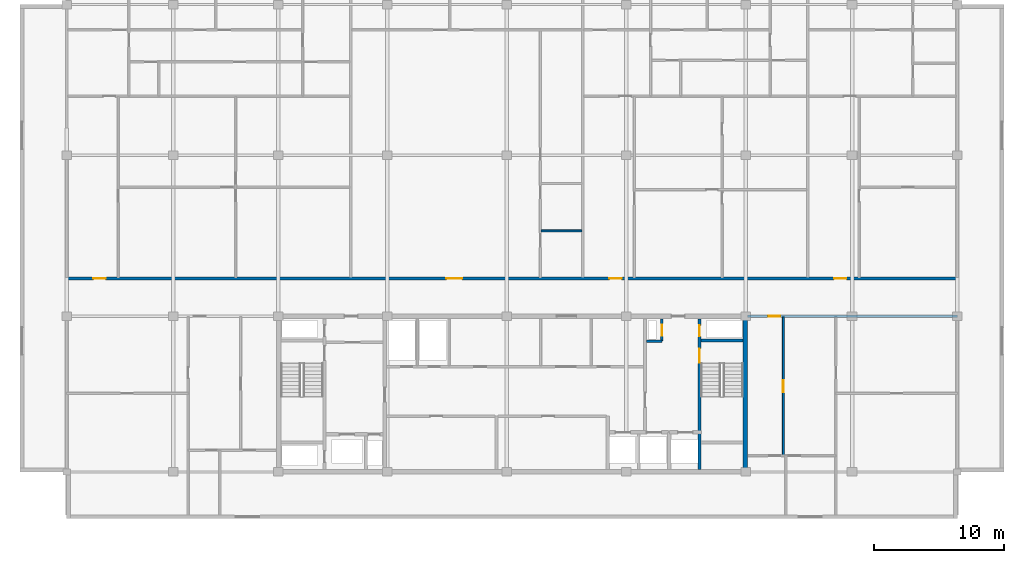
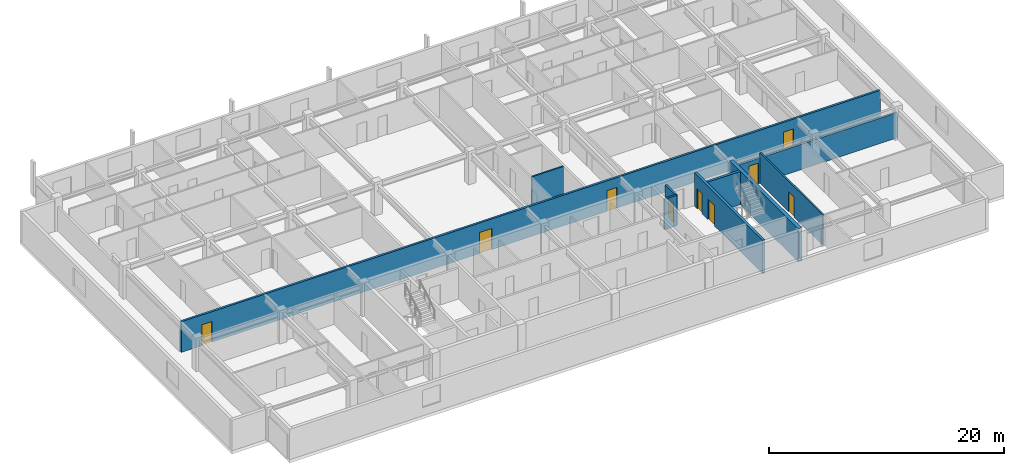
# One storey, part 5 of 10: 9 doors, 9 walls, 9 openings.
"""IFC4 building model written with IfcOpenShell, lengths in metres."""

import ifcopenshell
import ifcopenshell.guid

model = None  # the IFC model being written
_history = None  # IfcOwnerHistory: only IFC2X3 demands one
_inside = {}  # id of a spatial element -> (the spatial element, [elements in it])
_under = {}  # id of a project, library or spatial element -> (it, [spatial elements below it])
_declared = {}  # id of a project -> (the project, [libraries it declares])
_typed = {}  # id of a type object -> (the type object, [elements of that type])
_made_of = {}  # id of a material, layer set ... -> (it, [elements and type objects made of it])


def new_model(schema):
    """Start an empty IFC model of exactly this schema.

    Asked for "IFC4X3", IfcOpenShell would pick the latest addendum, in which some entities
    have other attributes; the version numbers below select the first issue.
    IFC2X3 requires an IfcOwnerHistory on every rooted entity: one is made here for all.
    """
    global model, _history
    if schema == "IFC4X3":
        model = ifcopenshell.file(schema_version=(4, 3, 0, 0))
    else:
        model = ifcopenshell.file(schema=schema)
    _inside.clear()
    _under.clear()
    _declared.clear()
    _typed.clear()
    _made_of.clear()
    _history = None
    if model.schema == "IFC2X3":
        org = make("IfcOrganization", Name="unknown")
        user = make(
            "IfcPersonAndOrganization",
            ThePerson=make("IfcPerson", FamilyName="unknown"),
            TheOrganization=org,
        )
        app = make(
            "IfcApplication",
            ApplicationDeveloper=org,
            Version="unknown",
            ApplicationFullName="unknown",
            ApplicationIdentifier="unknown",
        )
        _history = make(
            "IfcOwnerHistory",
            OwningUser=user,
            OwningApplication=app,
            ChangeAction="ADDED",
            CreationDate=0,
        )
    return model


def make(cls, **values):
    """One entity of the class cls with the attributes given. An attribute that is None is left unset."""
    return model.create_entity(
        cls, **{name: value for name, value in values.items() if value is not None}
    )


def rooted(cls, **values):
    """An entity with a GlobalId (a new one), such as an element, a storey or a relation."""
    return make(cls, GlobalId=ifcopenshell.guid.new(), OwnerHistory=_history, **values)


def si_unit(unit_type, name, prefix=None):
    """IfcSIUnit, for example si_unit("LENGTHUNIT", "METRE", prefix="MILLI")."""
    return make("IfcSIUnit", UnitType=unit_type, Prefix=prefix, Name=name)


def assignment(units):
    """IfcUnitAssignment: the units of a project."""
    return None if units is None else make("IfcUnitAssignment", Units=units)


def point(xyz):
    """IfcCartesianPoint."""
    return None if xyz is None else make("IfcCartesianPoint", Coordinates=xyz)


def direction(xyz):
    """IfcDirection."""
    return None if xyz is None else make("IfcDirection", DirectionRatios=xyz)


def frame(location, z_axis=None, x_axis=None):
    """IfcAxis2Placement3D, a coordinate frame: its origin and axes. An axis left out is left unset."""
    return make(
        "IfcAxis2Placement3D",
        Location=point(location),
        Axis=direction(z_axis),
        RefDirection=direction(x_axis),
    )


def frame_2d(location, x_axis=None):
    """IfcAxis2Placement2D, a coordinate frame in the plane: its origin and x axis."""
    return make(
        "IfcAxis2Placement2D", Location=point(location), RefDirection=direction(x_axis)
    )


def origin():
    """The frame at (0, 0, 0) with its axes left unset."""
    return frame((0.0, 0.0, 0.0))


def place(relative_to, where):
    """IfcLocalPlacement: puts the frame where relative to a parent placement (None: the world)."""
    return make(
        "IfcLocalPlacement", PlacementRelTo=relative_to, RelativePlacement=where
    )


def context(
    kind, dimensions, precision=None, world=None, true_north=None, identifier=None
):
    """IfcGeometricRepresentationContext, for example the 3D "Model" context."""
    return make(
        "IfcGeometricRepresentationContext",
        ContextIdentifier=identifier,
        ContextType=kind,
        CoordinateSpaceDimension=dimensions,
        Precision=precision,
        WorldCoordinateSystem=world,
        TrueNorth=true_north,
    )


def subcontext(parent, identifier, kind, view, scale=None):
    """IfcGeometricRepresentationSubContext, for example "Body" below "Model"."""
    return make(
        "IfcGeometricRepresentationSubContext",
        ContextIdentifier=identifier,
        ContextType=kind,
        ParentContext=parent,
        TargetScale=scale,
        TargetView=view,
    )


def project(units=None, contexts=None):
    """IfcProject with its units and contexts."""
    return rooted(
        "IfcProject",
        Name="project",
        RepresentationContexts=contexts,
        UnitsInContext=assignment(units),
    )


def spatial(cls, under=None, at=None, **own):
    """A site, building, storey or space (cls), placed at a placement, below another one or the project."""
    s = rooted(cls, ObjectPlacement=at, **own)
    if under is not None:
        _under.setdefault(under.id(), (under, []))[1].append(s)
    return s


def profile(cls, at=None, kind="AREA", **sizes):
    """A parametric profile (cls). Its sizes go by their IFC names, for example OverallWidth=200.0."""
    return make(cls, ProfileType=kind, Position=at, **sizes)


def rectangle(**sizes):
    """IfcRectangleProfileDef."""
    return profile("IfcRectangleProfileDef", **sizes)


def extrude(swept, where, along, depth):
    """IfcExtrudedAreaSolid: the profile swept, set in the frame where, extruded along a direction by depth."""
    return make(
        "IfcExtrudedAreaSolid",
        SweptArea=swept,
        Position=where,
        ExtrudedDirection=direction(along),
        Depth=depth,
    )


def shape(context_of_items, identifier, shape_type, items):
    """IfcShapeRepresentation: the items that make up one representation, for example the "Body"."""
    return make(
        "IfcShapeRepresentation",
        ContextOfItems=context_of_items,
        RepresentationIdentifier=identifier,
        RepresentationType=shape_type,
        Items=items,
    )


def material(Name=None, Category=None):
    """IfcMaterial."""
    return make("IfcMaterial", Name=Name, Category=Category)


def layer(
    of_material, thickness, ventilated=None, Name=None, Category=None, Priority=None
):
    """IfcMaterialLayer: one layer of a wall or slab, of a material (None: an air gap)."""
    return make(
        "IfcMaterialLayer",
        Material=of_material,
        LayerThickness=thickness,
        IsVentilated=ventilated,
        Name=Name,
        Category=Category,
        Priority=Priority,
    )


def layer_set(layers, Name=None):
    """IfcMaterialLayerSet."""
    return make("IfcMaterialLayerSet", MaterialLayers=layers, LayerSetName=Name)


def made_of(thing, what):
    """Note that an element or type object is made of a material, layer set ...; save() writes the relation."""
    if what is not None:
        _made_of.setdefault(what.id(), (what, []))[1].append(thing)
    return thing


def type_object(cls, material=None, **own):
    """A type object (cls), such as IfcWallType, which elements share."""
    return made_of(rooted(cls, **own), material)


def element(
    cls,
    number,
    at=None,
    inside=None,
    cuts=None,
    type_object=None,
    material=None,
    context=None,
    identifier="Body",
    shape_type=None,
    held_by="IfcProductDefinitionShape",
    body=None,
    shapes=None,
    **own,
):
    """One element of the class cls, such as IfcWall. Its Tag is "e" and its number.

    at: its placement. inside: the storey or other place that contains it. cuts: it is an
    opening in that element (IfcRelVoidsElement). A single representation is given by context,
    identifier, shape_type and body (its items); several are given by shapes. held_by: the class
    of the entity that holds the representations. save() writes the other relations.
    """
    e = rooted(cls, Tag="e%d" % number, ObjectPlacement=at, **own)
    if body is not None:
        shapes = [shape(context, identifier, shape_type, body)]
    if shapes is not None:
        e.Representation = make(held_by, Representations=shapes)
    if inside is not None:
        _inside.setdefault(inside.id(), (inside, []))[1].append(e)
    if cuts is not None:
        rooted(
            "IfcRelVoidsElement", RelatingBuildingElement=cuts, RelatedOpeningElement=e
        )
    if type_object is not None:
        _typed.setdefault(type_object.id(), (type_object, []))[1].append(e)
    return made_of(e, material)


def fill(opening, filler):
    """IfcRelFillsElement: the door or window that sits in an opening."""
    return rooted(
        "IfcRelFillsElement",
        RelatingOpeningElement=opening,
        RelatedBuildingElement=filler,
    )


def aggregate(whole, parts):
    """IfcRelAggregates: a whole, such as a stair, and the parts it consists of."""
    return rooted("IfcRelAggregates", RelatingObject=whole, RelatedObjects=parts)


def save(model, path):
    """Write the relations noted so far, then the file.

    IfcRelAggregates (storeys below a building ...), IfcRelContainedInSpatialStructure (elements
    in a storey), IfcRelDefinesByType, IfcRelAssociatesMaterial and IfcRelDeclares: one each for
    every whole, place, type object, material and project.
    """
    for whole, parts in _under.values():
        aggregate(whole, parts)
    for where, things in _inside.values():
        rooted(
            "IfcRelContainedInSpatialStructure",
            RelatedElements=things,
            RelatingStructure=where,
        )
    for kind, things in _typed.values():
        rooted("IfcRelDefinesByType", RelatedObjects=things, RelatingType=kind)
    for what, things in _made_of.values():
        rooted("IfcRelAssociatesMaterial", RelatedObjects=things, RelatingMaterial=what)
    for by, libraries in _declared.values():
        rooted("IfcRelDeclares", RelatingContext=by, RelatedDefinitions=libraries)
    model.write(path)


model = new_model("IFC4")

# Units and contexts
model_context = context("Model", 3, precision=1e-05, world=origin(), true_north=direction((0.0, 1.0)))
body_context = subcontext(model_context, "Body", "Model", "MODEL_VIEW")
ifc_project = project(units=[si_unit("LENGTHUNIT", "METRE"), si_unit("AREAUNIT", "SQUARE_METRE"), si_unit("VOLUMEUNIT", "CUBIC_METRE"), si_unit("PLANEANGLEUNIT", "RADIAN"), si_unit("MASSUNIT", "GRAM", prefix="KILO")], contexts=[model_context])

# Site, building, storey
site_placement = place(None, origin())
site = spatial("IfcSite", under=ifc_project, at=site_placement, CompositionType="ELEMENT")
building_placement = place(site_placement, origin())
building = spatial("IfcBuilding", under=site, at=building_placement, Name="Korimba Cascade Residences", CompositionType="ELEMENT")
storey_placement = place(building_placement, frame((0.0, 0.0, 228.64990234375)))
storey = spatial("IfcBuildingStorey", under=building, at=storey_placement, Name="L66", CompositionType="ELEMENT", Elevation=228.64990234375)

# Wall
ifc_material_1 = material(Name="Concrete C65/80", Category="concrete")
ifc_layer_1 = layer(ifc_material_1, 0.35009765625)
ifc_layer_set_1 = layer_set([ifc_layer_1], Name="Concrete C65/80")
wall_type_1 = type_object("IfcWallType", Name="WAL-CORE-350", PredefinedType="SHEAR", material=ifc_layer_set_1)
wall_1_placement = place(storey_placement, frame((112.074951171875, 55.375, 0.0), z_axis=(0.0, 0.0, 1.0), x_axis=(0.0, 1.0, 0.0)))
element("IfcWall", 1, at=wall_1_placement, inside=storey, type_object=wall_type_1, Name="L66 Core Shear Wall CW-L66-T1-E", PredefinedType="SHEAR", context=body_context, shape_type="SweptSolid", body=[
    extrude(rectangle(XDim=11.64990234375, YDim=0.35009765625, at=frame_2d((5.824951171875, 0.0))), origin(), (0.0, 0.0, 1.0), 3.4501953125),
])

# Wall, opening, door
ifc_material_2 = material(Name="Precast concrete C40/50", Category="concrete")
ifc_layer_2 = layer(ifc_material_2, 0.199951171875)
ifc_layer_set_2 = layer_set([ifc_layer_2], Name="Precast concrete C40/50")
wall_type_2 = type_object("IfcWallType", Name="WAL-IT-200", PredefinedType="PARTITIONING", material=ifc_layer_set_2)
wall_2_placement = place(storey_placement, frame((112.25, 67.199951171875, 0.0), z_axis=(0.0, 0.0, 1.0), x_axis=(1.0, 0.0, 0.0)))
wall_2 = element("IfcWall", 2, at=wall_2_placement, inside=storey, type_object=wall_type_2, Name="L66 Partition Wall WAL-L66-T1-FE-N", PredefinedType="PARTITIONING", context=body_context, shape_type="SweptSolid", body=[
    extrude(rectangle(XDim=16.14990234375, YDim=0.199951171875, at=frame_2d((8.074951171875, 0.0))), origin(), (0.0, 0.0, 1.0), 2.63330078125),
])
opening_1_placement = place(wall_2_placement, frame((1.580078125, 0.0, 0.0)))
opening_1 = element("IfcOpeningElement", 3, at=opening_1_placement, cuts=wall_2, Name="Opening D-UN1", PredefinedType="OPENING", context=body_context, shape_type="SweptSolid", body=[
    extrude(rectangle(XDim=0.949951171875, YDim=2.14990234375, at=frame_2d((0.47509765625, 1.074951171875))), frame((0.0, 0.10986328125, 0.0), z_axis=(0.0, -1.0, 0.0), x_axis=(1.0, 0.0, 0.0)), (0.0, 0.0, 1.0), 0.219970703125),
])
ifc_material_3 = material(Name="Fire-Rated Hardwood Apartment Entrance Door", Category="wood")
door_type_1 = type_object("IfcDoorType", Name="DR-FD60-950", OperationType="NOTDEFINED", PredefinedType="DOOR", material=ifc_material_3)
door_1_placement = place(opening_1_placement, origin())
door_1 = element("IfcDoor", 4, at=door_1_placement, inside=storey, type_object=door_type_1, Name="L66-T1-FE Entrance Door", OperationType="SINGLE_SWING_RIGHT", OverallHeight=2.14990234375, OverallWidth=0.949951171875, PredefinedType="DOOR", context=body_context, shape_type="SweptSolid", body=[
    extrude(rectangle(XDim=0.949951171875, YDim=2.14990234375, at=frame_2d((0.47509765625, 1.074951171875))), frame((0.0, 0.02490234375, 0.0), z_axis=(0.0, -1.0, 0.0), x_axis=(1.0, 0.0, 0.0)), (0.0, 0.0, 1.0), 0.050048828125),
])
fill(opening_1, door_1)

# Wall, openings, doors
wall_3_placement = place(storey_placement, frame((59.800048828125, 70.10009765625, 0.0), z_axis=(0.0, 0.0, 1.0), x_axis=(1.0, 0.0, 0.0)))
wall_3 = element("IfcWall", 5, at=wall_3_placement, inside=storey, type_object=wall_type_2, Name="L66 Partition Wall WAL-L66-T1-CORN", PredefinedType="PARTITIONING", context=body_context, shape_type="SweptSolid", body=[
    extrude(rectangle(XDim=68.599853515625, YDim=0.199951171875, at=frame_2d((34.2998046875, 0.0))), origin(), (0.0, 0.0, 1.0), 3.170166015625),
])
opening_2_placement = place(wall_3_placement, frame((2.044921875, 0.0, 0.0)))
opening_2 = element("IfcOpeningElement", 6, at=opening_2_placement, cuts=wall_3, Name="Opening D-UN1", PredefinedType="OPENING", context=body_context, shape_type="SweptSolid", body=[
    extrude(rectangle(XDim=0.949951171875, YDim=2.14990234375, at=frame_2d((0.47509765625, 1.074951171875))), frame((0.0, 0.10986328125, 0.0), z_axis=(0.0, -1.0, 0.0), x_axis=(1.0, 0.0, 0.0)), (0.0, 0.0, 1.0), 0.219970703125),
])
opening_3_placement = place(wall_3_placement, frame((29.246337890625, 0.0, 0.0)))
opening_3 = element("IfcOpeningElement", 7, at=opening_3_placement, cuts=wall_3, Name="Opening D-AM1", PredefinedType="OPENING", context=body_context, shape_type="SweptSolid", body=[
    extrude(rectangle(XDim=1.219970703125, YDim=2.179931640625, at=frame_2d((0.60986328125, 1.08984375))), frame((0.0, 0.10986328125, 0.0), z_axis=(0.0, -1.0, 0.0), x_axis=(1.0, 0.0, 0.0)), (0.0, 0.0, 1.0), 0.219970703125),
])
opening_4_placement = place(wall_3_placement, frame((41.800537109375, 0.0, 0.0)))
opening_4 = element("IfcOpeningElement", 8, at=opening_4_placement, cuts=wall_3, Name="Opening D-UN1", PredefinedType="OPENING", context=body_context, shape_type="SweptSolid", body=[
    extrude(rectangle(XDim=0.949951171875, YDim=2.14990234375, at=frame_2d((0.47509765625, 1.074951171875))), frame((0.0, 0.10986328125, 0.0), z_axis=(0.0, -1.0, 0.0), x_axis=(1.0, 0.0, 0.0)), (0.0, 0.0, 1.0), 0.219970703125),
])
opening_5_placement = place(wall_3_placement, frame((59.114501953125, 0.0, 0.0)))
opening_5 = element("IfcOpeningElement", 9, at=opening_5_placement, cuts=wall_3, Name="Opening D-UN1", PredefinedType="OPENING", context=body_context, shape_type="SweptSolid", body=[
    extrude(rectangle(XDim=0.949951171875, YDim=2.14990234375, at=frame_2d((0.47509765625, 1.074951171875))), frame((0.0, 0.10986328125, 0.0), z_axis=(0.0, -1.0, 0.0), x_axis=(1.0, 0.0, 0.0)), (0.0, 0.0, 1.0), 0.219970703125),
])
ifc_material_4 = material(Name="Fire-Rated Glazed Timber Suite Door", Category="wood")
door_type_2 = type_object("IfcDoorType", Name="DR-FD60-1200", OperationType="NOTDEFINED", PredefinedType="DOOR", material=ifc_material_4)
door_2_placement = place(opening_3_placement, origin())
door_2 = element("IfcDoor", 10, at=door_2_placement, inside=storey, type_object=door_type_2, Name="L66-T1-U02 Resident Conference Room Door", OperationType="SINGLE_SWING_RIGHT", OverallHeight=2.179931640625, OverallWidth=1.219970703125, PredefinedType="DOOR", context=body_context, shape_type="SweptSolid", body=[
    extrude(rectangle(XDim=1.219970703125, YDim=2.179931640625, at=frame_2d((0.60986328125, 1.08984375))), frame((0.0, 0.02490234375, 0.0), z_axis=(0.0, -1.0, 0.0), x_axis=(1.0, 0.0, 0.0)), (0.0, 0.0, 1.0), 0.050048828125),
])
fill(opening_3, door_2)
door_3_placement = place(opening_2_placement, origin())
door_3 = element("IfcDoor", 11, at=door_3_placement, inside=storey, type_object=door_type_1, Name="Unit L66-T1-U01 Entrance Door", OperationType="SINGLE_SWING_LEFT", OverallHeight=2.14990234375, OverallWidth=0.949951171875, PredefinedType="DOOR", context=body_context, shape_type="SweptSolid", body=[
    extrude(rectangle(XDim=0.949951171875, YDim=2.14990234375, at=frame_2d((0.47509765625, 1.074951171875))), frame((0.0, 0.02490234375, 0.0), z_axis=(0.0, -1.0, 0.0), x_axis=(1.0, 0.0, 0.0)), (0.0, 0.0, 1.0), 0.050048828125),
])
fill(opening_2, door_3)
door_4_placement = place(opening_4_placement, origin())
door_4 = element("IfcDoor", 12, at=door_4_placement, inside=storey, type_object=door_type_1, Name="Unit L66-T1-U03 Entrance Door", OperationType="SINGLE_SWING_LEFT", OverallHeight=2.14990234375, OverallWidth=0.949951171875, PredefinedType="DOOR", context=body_context, shape_type="SweptSolid", body=[
    extrude(rectangle(XDim=0.949951171875, YDim=2.14990234375, at=frame_2d((0.47509765625, 1.074951171875))), frame((0.0, 0.02490234375, 0.0), z_axis=(0.0, -1.0, 0.0), x_axis=(1.0, 0.0, 0.0)), (0.0, 0.0, 1.0), 0.050048828125),
])
fill(opening_4, door_4)
door_5_placement = place(opening_5_placement, origin())
door_5 = element("IfcDoor", 13, at=door_5_placement, inside=storey, type_object=door_type_1, Name="Unit L66-T1-U04 Entrance Door", OperationType="SINGLE_SWING_RIGHT", OverallHeight=2.14990234375, OverallWidth=0.949951171875, PredefinedType="DOOR", context=body_context, shape_type="SweptSolid", body=[
    extrude(rectangle(XDim=0.949951171875, YDim=2.14990234375, at=frame_2d((0.47509765625, 1.074951171875))), frame((0.0, 0.02490234375, 0.0), z_axis=(0.0, -1.0, 0.0), x_axis=(1.0, 0.0, 0.0)), (0.0, 0.0, 1.0), 0.050048828125),
])
fill(opening_5, door_5)

# Wall, opening, door
ifc_material_5 = material(Name="Insulated Acoustic Stud Partition", Category="gypsum")
ifc_layer_3 = layer(ifc_material_5, 0.14990234375)
ifc_layer_set_3 = layer_set([ifc_layer_3], Name="Insulated Acoustic Stud Partition")
wall_type_3 = type_object("IfcWallType", Name="WAL-PART-150", PredefinedType="PARTITIONING", material=ifc_layer_set_3)
wall_4_placement = place(storey_placement, frame((115.0, 56.449951171875, 0.0), z_axis=(0.0, 0.0, 1.0), x_axis=(0.0, 1.0, 0.0)))
wall_4 = element("IfcWall", 14, at=wall_4_placement, inside=storey, type_object=wall_type_3, Name="L66 Partition Wall WAL-L66-T1-FE-VN", PredefinedType="PARTITIONING", context=body_context, shape_type="SweptSolid", body=[
    extrude(rectangle(XDim=10.699951171875, YDim=0.14990234375, at=frame_2d((5.35009765625, 0.0))), origin(), (0.0, 0.0, 1.0), 3.170166015625),
])
opening_6_placement = place(wall_4_placement, frame((4.889892578125, 0.0, 0.0)))
opening_6 = element("IfcOpeningElement", 15, at=opening_6_placement, cuts=wall_4, Name="Opening D-IN1", PredefinedType="OPENING", context=body_context, shape_type="SweptSolid", body=[
    extrude(rectangle(XDim=0.919921875, YDim=2.080078125, at=frame_2d((0.4599609375, 1.0400390625))), frame((0.0, 0.0849609375, 0.0), z_axis=(0.0, -1.0, 0.0), x_axis=(1.0, 0.0, 0.0)), (0.0, 0.0, 1.0), 0.169921875),
])
ifc_material_6 = material(Name="Acoustic Timber Living Door", Category="wood")
door_type_3 = type_object("IfcDoorType", Name="DR-INT-920", OperationType="NOTDEFINED", PredefinedType="DOOR", material=ifc_material_6)
door_6_placement = place(opening_6_placement, origin())
door_6 = element("IfcDoor", 16, at=door_6_placement, inside=storey, type_object=door_type_3, Name="L66-T1-FE Living Door", OperationType="SINGLE_SWING_LEFT", OverallHeight=2.080078125, OverallWidth=0.919921875, PredefinedType="DOOR", context=body_context, shape_type="SweptSolid", body=[
    extrude(rectangle(XDim=0.919921875, YDim=2.080078125, at=frame_2d((0.4599609375, 1.0400390625))), frame((0.0, 0.02490234375, 0.0), z_axis=(0.0, -1.0, 0.0), x_axis=(1.0, 0.0, 0.0)), (0.0, 0.0, 1.0), 0.050048828125),
])
fill(opening_6, door_6)

# Walls
wall_5_placement = place(storey_placement, frame((96.345703125, 73.77001953125, 0.0), z_axis=(0.0, 0.0, 1.0), x_axis=(1.0, 0.0, 0.0)))
element("IfcWall", 17, at=wall_5_placement, inside=storey, type_object=wall_type_3, Name="L66 Partition Wall WAL-L66-T1-U02-WCH", PredefinedType="PARTITIONING", context=body_context, shape_type="SweptSolid", body=[
    extrude(rectangle(XDim=3.1298828125, YDim=0.14990234375, at=frame_2d((1.56494140625, 0.0))), origin(), (0.0, 0.0, 1.0), 3.170166015625),
])
ifc_material_7 = material(Name="Concrete C40/50", Category="concrete")
ifc_layer_4 = layer(ifc_material_7, 0.199951171875)
ifc_layer_set_4 = layer_set([ifc_layer_4], Name="Concrete C40/50")
wall_type_4 = type_object("IfcWallType", Name="WAL-PART-200", PredefinedType="PARTITIONING", material=ifc_layer_set_4)
wall_6_placement = place(storey_placement, frame((104.449951171875, 65.280029296875, 0.0), z_axis=(0.0, 0.0, 1.0), x_axis=(1.0, 0.0, 0.0)))
element("IfcWall", 18, at=wall_6_placement, inside=storey, type_object=wall_type_4, Name="L66 Partition Wall CW-L66-T1-HYDW2S", PredefinedType="PARTITIONING", context=body_context, shape_type="SweptSolid", body=[
    extrude(rectangle(XDim=1.199951171875, YDim=0.199951171875, at=frame_2d((0.60009765625, 0.0))), origin(), (0.0, 0.0, 1.0), 3.170166015625),
])

# Wall, opening, door
wall_7_placement = place(storey_placement, frame((105.64990234375, 65.280029296875, 0.0), z_axis=(0.0, 0.0, 1.0), x_axis=(0.0, 1.0, 0.0)))
wall_7 = element("IfcWall", 19, at=wall_7_placement, inside=storey, type_object=wall_type_4, Name="L66 Partition Wall CW-L66-T1-HYDW2E", PredefinedType="PARTITIONING", context=body_context, shape_type="SweptSolid", body=[
    extrude(rectangle(XDim=1.719970703125, YDim=0.199951171875, at=frame_2d((0.85986328125, 0.0))), origin(), (0.0, 0.0, 1.0), 3.170166015625),
])
opening_7_placement = place(wall_7_placement, frame((0.39990234375, 0.0, 0.0)))
opening_7 = element("IfcOpeningElement", 20, at=opening_7_placement, cuts=wall_7, Name="Opening D-RS1", PredefinedType="OPENING", context=body_context, shape_type="SweptSolid", body=[
    extrude(rectangle(XDim=0.85009765625, YDim=2.050048828125, at=frame_2d((0.425048828125, 1.02490234375))), frame((0.0, 0.10986328125, 0.0), z_axis=(0.0, -1.0, 0.0), x_axis=(1.0, 0.0, 0.0)), (0.0, 0.0, 1.0), 0.219970703125),
])
ifc_material_8 = material(Name="Fire-Rated Steel Riser Access Door", Category="steel")
door_type_4 = type_object("IfcDoorType", Name="DR-FD60-850", OperationType="NOTDEFINED", PredefinedType="DOOR", material=ifc_material_8)
door_7_placement = place(opening_7_placement, origin())
door_7 = element("IfcDoor", 21, at=door_7_placement, inside=storey, type_object=door_type_4, Name="L66 East Hydrant Door", OperationType="SINGLE_SWING_LEFT", OverallHeight=2.050048828125, OverallWidth=0.85009765625, PredefinedType="DOOR", context=body_context, shape_type="SweptSolid", body=[
    extrude(rectangle(XDim=0.85009765625, YDim=2.050048828125, at=frame_2d((0.425048828125, 1.02490234375))), frame((0.0, 0.02490234375, 0.0), z_axis=(0.0, -1.0, 0.0), x_axis=(1.0, 0.0, 0.0)), (0.0, 0.0, 1.0), 0.050048828125),
])
fill(opening_7, door_7)

# Wall, openings, doors
ifc_material_9 = material(Name="Concrete C50/60", Category="concrete")
ifc_layer_5 = layer(ifc_material_9, 0.25)
ifc_layer_set_5 = layer_set([ifc_layer_5], Name="Concrete C50/60")
wall_type_5 = type_object("IfcWallType", Name="WAL-SHAFT-250", PredefinedType="SHEAR", material=ifc_layer_set_5)
wall_8_placement = place(storey_placement, frame((108.534912109375, 55.39990234375, 0.0), z_axis=(0.0, 0.0, 1.0), x_axis=(0.0, 1.0, 0.0)))
wall_8 = element("IfcWall", 22, at=wall_8_placement, inside=storey, type_object=wall_type_5, Name="L66 Core Shear Wall CW-L66-T1-STW2W", PredefinedType="SHEAR", context=body_context, shape_type="SweptSolid", body=[
    extrude(rectangle(XDim=11.60009765625, YDim=0.25, at=frame_2d((5.800048828125, 0.0))), origin(), (0.0, 0.0, 1.0), 3.4501953125),
])
opening_8_placement = place(wall_8_placement, frame((8.199951171875, 0.0, 0.0)))
opening_8 = element("IfcOpeningElement", 23, at=opening_8_placement, cuts=wall_8, Name="Opening D-FD1", PredefinedType="OPENING", context=body_context, shape_type="SweptSolid", body=[
    extrude(rectangle(XDim=1.10009765625, YDim=2.10009765625, at=frame_2d((0.550048828125, 1.050048828125))), frame((0.0, 0.135009765625, 0.0), z_axis=(0.0, -1.0, 0.0), x_axis=(1.0, 0.0, 0.0)), (0.0, 0.0, 1.0), 0.27001953125),
])
opening_9_placement = place(wall_8_placement, frame((10.25, 0.0, 0.0)))
opening_9 = element("IfcOpeningElement", 24, at=opening_9_placement, cuts=wall_8, Name="Opening D-RS1", PredefinedType="OPENING", context=body_context, shape_type="SweptSolid", body=[
    extrude(rectangle(XDim=0.85009765625, YDim=2.050048828125, at=frame_2d((0.425048828125, 1.02490234375))), frame((0.0, 0.135009765625, 0.0), z_axis=(0.0, -1.0, 0.0), x_axis=(1.0, 0.0, 0.0)), (0.0, 0.0, 1.0), 0.27001953125),
])
ifc_material_10 = material(Name="Fire-Rated Steel Core Door", Category="steel")
door_type_5 = type_object("IfcDoorType", Name="DR-FD120-1100", OperationType="NOTDEFINED", PredefinedType="DOOR", material=ifc_material_10)
door_8_placement = place(opening_8_placement, origin())
door_8 = element("IfcDoor", 25, at=door_8_placement, inside=storey, type_object=door_type_5, Name="L66 Fire Stair ST-W2 Door", OperationType="SINGLE_SWING_LEFT", OverallHeight=2.10009765625, OverallWidth=1.10009765625, PredefinedType="DOOR", context=body_context, shape_type="SweptSolid", body=[
    extrude(rectangle(XDim=1.10009765625, YDim=2.10009765625, at=frame_2d((0.550048828125, 1.050048828125))), frame((0.0, 0.02490234375, 0.0), z_axis=(0.0, -1.0, 0.0), x_axis=(1.0, 0.0, 0.0)), (0.0, 0.0, 1.0), 0.050048828125),
])
fill(opening_8, door_8)
door_9_placement = place(opening_9_placement, origin())
door_9 = element("IfcDoor", 26, at=door_9_placement, inside=storey, type_object=door_type_4, Name="L66 East Riser Door", OperationType="SINGLE_SWING_RIGHT", OverallHeight=2.050048828125, OverallWidth=0.85009765625, PredefinedType="DOOR", context=body_context, shape_type="SweptSolid", body=[
    extrude(rectangle(XDim=0.85009765625, YDim=2.050048828125, at=frame_2d((0.425048828125, 1.02490234375))), frame((0.0, 0.02490234375, 0.0), z_axis=(0.0, -1.0, 0.0), x_axis=(1.0, 0.0, 0.0)), (0.0, 0.0, 1.0), 0.050048828125),
])
fill(opening_9, door_9)

# Wall
wall_9_placement = place(storey_placement, frame((108.659912109375, 65.324951171875, 0.0), z_axis=(0.0, 0.0, 1.0), x_axis=(1.0, 0.0, 0.0)))
element("IfcWall", 27, at=wall_9_placement, inside=storey, type_object=wall_type_5, Name="L66 Core Shear Wall CW-L66-T1-STW2N", PredefinedType="SHEAR", context=body_context, shape_type="SweptSolid", body=[
    extrude(rectangle(XDim=3.239990234375, YDim=0.25, at=frame_2d((1.6201171875, 0.0))), origin(), (0.0, 0.0, 1.0), 3.4501953125),
])

save(model, "model.ifc")
